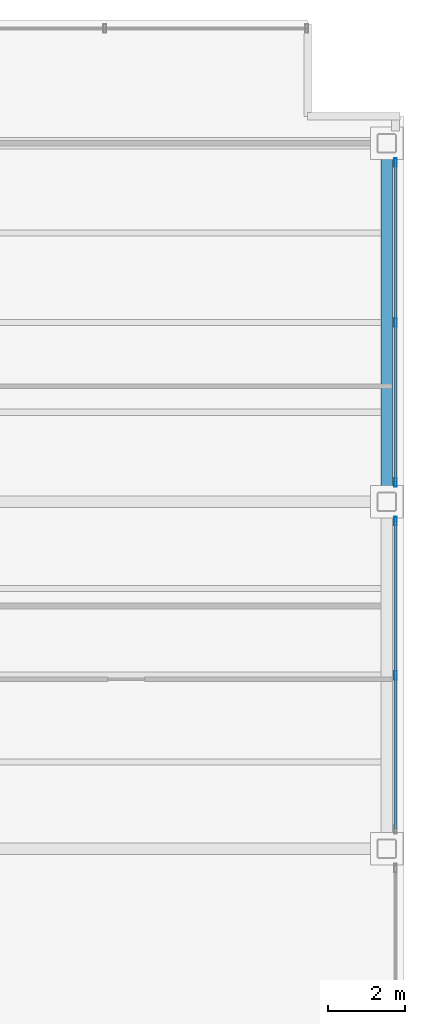
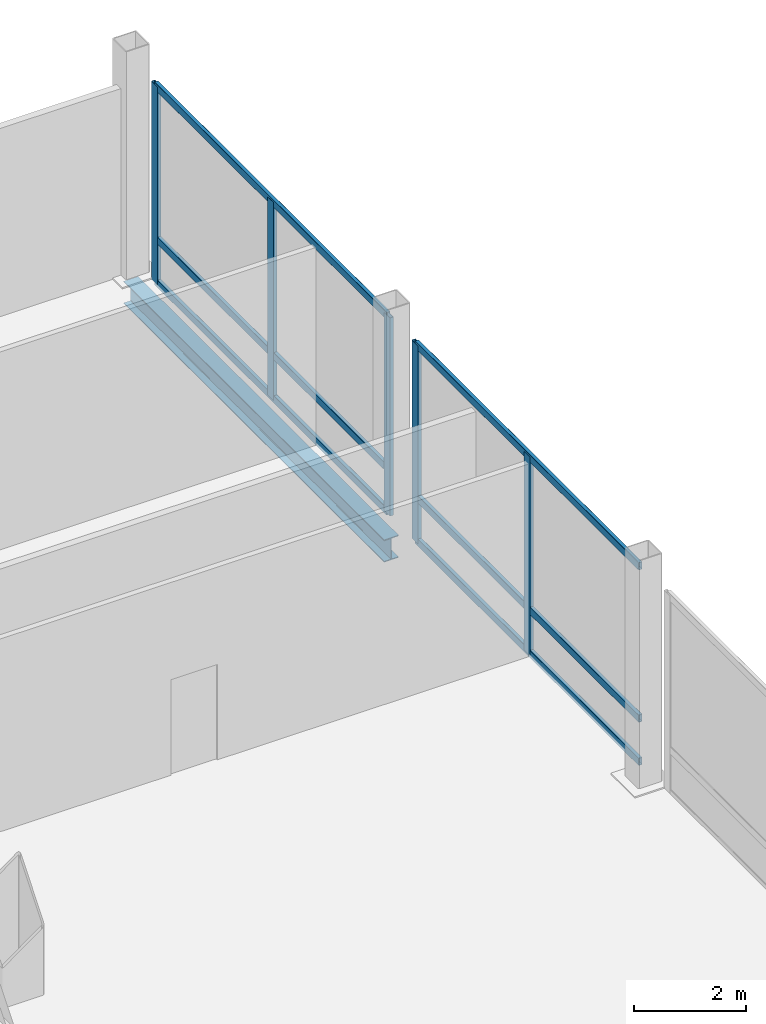
# One storey, part 13 of 22: 11 members, 1 beam, 2 elements without a shape of their own.
"""IFC4 building model written with IfcOpenShell, lengths in metres."""

from ifc_helpers import new_model, si_unit, direction, frame, origin, origin_2d, place, context, subcontext, project, spatial, hollow_rectangle, i_section, extrude, material, material_profile, profile_set, type_object, element, aggregate, save


model = new_model("IFC4")

# Units and contexts
model_context = context("Model", 3, precision=1e-05, world=origin(), true_north=direction((0.0, 1.0)))
body_context = subcontext(model_context, "Body", "Model", "MODEL_VIEW")
ifc_project = project(units=[si_unit("LENGTHUNIT", "METRE"), si_unit("AREAUNIT", "SQUARE_METRE"), si_unit("VOLUMEUNIT", "CUBIC_METRE"), si_unit("PLANEANGLEUNIT", "RADIAN"), si_unit("MASSUNIT", "GRAM", prefix="KILO")], contexts=[model_context])

# Site, building, storey
site_placement = place(None, origin())
site = spatial("IfcSite", under=ifc_project, at=site_placement, CompositionType="ELEMENT")
building_placement = place(site_placement, origin())
building = spatial("IfcBuilding", under=site, at=building_placement, Name="Noeulbin Bourse Tower", CompositionType="ELEMENT")
storey_placement = place(building_placement, frame((0.0, 0.0, 106.0)))
storey = spatial("IfcBuildingStorey", under=building, at=storey_placement, Name="L26", CompositionType="ELEMENT", Elevation=106.0)

# Beam
ifc_material_1 = material(Name="Steel S355", Category="steel")
ifc_material_profile_1 = material_profile(ifc_material_1, i_section(OverallWidth=0.300048828125, OverallDepth=0.488037109375, WebThickness=0.010986328125, FlangeThickness=0.01806640625, FilletRadius=0.02197265625, at=origin_2d()), Name="H-488x300x11x18", Category="LoadBearing")
ifc_profile_set_1 = profile_set([ifc_material_profile_1], Name="Steel S355")
beam_type = type_object("IfcBeamType", Name="BM-SPN-488", PredefinedType="SPANDREL", material=ifc_profile_set_1)
beam_placement = place(storey_placement, frame((57.050048828125, 29.0, -0.424072265625), z_axis=(0.0, 1.0, 0.0), x_axis=(-1.0, 0.0, 0.0)))
element("IfcBeam", 1, at=beam_placement, inside=storey, type_object=beam_type, Name="East Spandrel L26-2", PredefinedType="SPANDREL", context=body_context, shape_type="SweptSolid", body=[
    extrude(i_section(OverallWidth=0.300048828125, OverallDepth=0.488037109375, WebThickness=0.010986328125, FlangeThickness=0.01806640625, FilletRadius=0.02197265625, at=origin_2d()), origin(), (0.0, 0.0, 1.0), 9.300048828125),
])

# Curtain wall, members
ifc_material_2 = material(Name="Dark Tinted Triple Glazing", Category="glass")
curtain_wall_type = type_object("IfcCurtainWallType", Name="CW-SYS-3", PredefinedType="NOTDEFINED", material=ifc_material_2)
curtain_wall_1_placement = place(storey_placement, origin())
curtain_wall_1 = element("IfcCurtainWall", 2, at=curtain_wall_1_placement, inside=storey, type_object=curtain_wall_type, Name="Unitised Curtain Wall CW-L26-E-S2", PredefinedType="NOTDEFINED")
ifc_material_3 = material(Name="Anodised Aluminium 6063-T6", Category="aluminium")
ifc_material_profile_2 = material_profile(ifc_material_3, hollow_rectangle(XDim=0.074951171875, YDim=0.219970703125, WallThickness=0.0048828125, InnerFilletRadius=0.00244140625, OuterFilletRadius=0.0048828125, at=origin_2d()), Name="ALU-MULL-75x220x5", Category="LoadBearing")
ifc_profile_set_2 = profile_set([ifc_material_profile_2], Name="Anodised Aluminium 6063-T6")
member_type_1 = type_object("IfcMemberType", Name="CW-SYS-3-MUL", PredefinedType="MULLION", material=ifc_profile_set_2)
member_1_placement = place(storey_placement, frame((57.280029296875, 24.5, -0.02001953125), z_axis=(0.0, 0.0, 1.0), x_axis=(1.0, 0.0, 0.0)))
member_1 = element("IfcMember", 3, at=member_1_placement, type_object=member_type_1, Name="Curtain Wall Mullion CW-L26-E-S2-M01", PredefinedType="MULLION", context=body_context, shape_type="SweptSolid", body=[
    extrude(hollow_rectangle(XDim=0.074951171875, YDim=0.219970703125, WallThickness=0.0048828125, InnerFilletRadius=0.00244140625, OuterFilletRadius=0.0048828125, at=origin_2d()), origin(), (0.0, 0.0, 1.0), 4.320068359375),
])
member_2_placement = place(storey_placement, frame((57.280029296875, 28.5, -0.02001953125), z_axis=(0.0, 0.0, 1.0), x_axis=(1.0, 0.0, 0.0)))
member_2 = element("IfcMember", 4, at=member_2_placement, type_object=member_type_1, Name="Curtain Wall Mullion CW-L26-E-S2-M02", PredefinedType="MULLION", context=body_context, shape_type="SweptSolid", body=[
    extrude(hollow_rectangle(XDim=0.074951171875, YDim=0.219970703125, WallThickness=0.0048828125, InnerFilletRadius=0.00244140625, OuterFilletRadius=0.0048828125, at=origin_2d()), origin(), (0.0, 0.0, 1.0), 4.320068359375),
])

curtain_wall_2_placement = place(storey_placement, origin())
curtain_wall_2 = element("IfcCurtainWall", 5, at=curtain_wall_2_placement, inside=storey, type_object=curtain_wall_type, Name="Unitised Curtain Wall CW-L26-E-S3", PredefinedType="NOTDEFINED")
member_3_placement = place(storey_placement, frame((57.280029296875, 29.5, -0.02001953125), z_axis=(0.0, 0.0, 1.0), x_axis=(1.0, 0.0, 0.0)))
member_3 = element("IfcMember", 6, at=member_3_placement, type_object=member_type_1, Name="Curtain Wall Mullion CW-L26-E-S3-M00", PredefinedType="MULLION", context=body_context, shape_type="SweptSolid", body=[
    extrude(hollow_rectangle(XDim=0.074951171875, YDim=0.219970703125, WallThickness=0.0048828125, InnerFilletRadius=0.00244140625, OuterFilletRadius=0.0048828125, at=origin_2d()), origin(), (0.0, 0.0, 1.0), 4.320068359375),
])
member_4_placement = place(storey_placement, frame((57.280029296875, 33.64990234375, -0.02001953125), z_axis=(0.0, 0.0, 1.0), x_axis=(1.0, 0.0, 0.0)))
member_4 = element("IfcMember", 7, at=member_4_placement, type_object=member_type_1, Name="Curtain Wall Mullion CW-L26-E-S3-M01", PredefinedType="MULLION", context=body_context, shape_type="SweptSolid", body=[
    extrude(hollow_rectangle(XDim=0.074951171875, YDim=0.219970703125, WallThickness=0.0048828125, InnerFilletRadius=0.00244140625, OuterFilletRadius=0.0048828125, at=origin_2d()), origin(), (0.0, 0.0, 1.0), 4.320068359375),
])
member_5_placement = place(storey_placement, frame((57.280029296875, 37.800048828125, -0.02001953125), z_axis=(0.0, 0.0, 1.0), x_axis=(1.0, 0.0, 0.0)))
member_5 = element("IfcMember", 8, at=member_5_placement, type_object=member_type_1, Name="Curtain Wall Mullion CW-L26-E-S3-M02", PredefinedType="MULLION", context=body_context, shape_type="SweptSolid", body=[
    extrude(hollow_rectangle(XDim=0.074951171875, YDim=0.219970703125, WallThickness=0.0048828125, InnerFilletRadius=0.00244140625, OuterFilletRadius=0.0048828125, at=origin_2d()), origin(), (0.0, 0.0, 1.0), 4.320068359375),
])

# Member
ifc_material_profile_3 = material_profile(ifc_material_3, hollow_rectangle(XDim=0.074951171875, YDim=0.159912109375, WallThickness=0.0048828125, InnerFilletRadius=0.00244140625, OuterFilletRadius=0.0048828125, at=origin_2d()), Name="ALU-TRAN-75x160x5", Category="LoadBearing")
ifc_profile_set_3 = profile_set([ifc_material_profile_3], Name="Anodised Aluminium 6063-T6")
member_type_2 = type_object("IfcMemberType", Name="CW-SYS-3-TRN", PredefinedType="USERDEFINED", material=ifc_profile_set_3)
member_6_placement = place(storey_placement, frame((57.280029296875, 20.510009765625, 0.010009765625), z_axis=(0.0, 1.0, 0.0), x_axis=(-1.0, 0.0, 0.0)))
member_6 = element("IfcMember", 9, at=member_6_placement, type_object=member_type_2, Name="Curtain Wall Transom CW-L26-E-S2-T00", ObjectType="TRANSOM", PredefinedType="USERDEFINED", context=body_context, shape_type="SweptSolid", body=[
    extrude(hollow_rectangle(XDim=0.074951171875, YDim=0.159912109375, WallThickness=0.0048828125, InnerFilletRadius=0.00244140625, OuterFilletRadius=0.0048828125, at=origin_2d()), origin(), (0.0, 0.0, 1.0), 7.97998046875),
])

member_7_placement = place(storey_placement, frame((57.280029296875, 20.510009765625, 0.949951171875), z_axis=(0.0, 1.0, 0.0), x_axis=(-1.0, 0.0, 0.0)))
member_7 = element("IfcMember", 10, at=member_7_placement, type_object=member_type_2, Name="Curtain Wall Transom CW-L26-E-S2-T01", ObjectType="TRANSOM", PredefinedType="USERDEFINED", context=body_context, shape_type="SweptSolid", body=[
    extrude(hollow_rectangle(XDim=0.074951171875, YDim=0.159912109375, WallThickness=0.0048828125, InnerFilletRadius=0.00244140625, OuterFilletRadius=0.0048828125, at=origin_2d()), origin(), (0.0, 0.0, 1.0), 7.97998046875),
])

member_8_placement = place(storey_placement, frame((57.280029296875, 20.510009765625, 4.27001953125), z_axis=(0.0, 1.0, 0.0), x_axis=(-1.0, 0.0, 0.0)))
member_8 = element("IfcMember", 11, at=member_8_placement, type_object=member_type_2, Name="Curtain Wall Transom CW-L26-E-S2-T02", ObjectType="TRANSOM", PredefinedType="USERDEFINED", context=body_context, shape_type="SweptSolid", body=[
    extrude(hollow_rectangle(XDim=0.074951171875, YDim=0.159912109375, WallThickness=0.0048828125, InnerFilletRadius=0.00244140625, OuterFilletRadius=0.0048828125, at=origin_2d()), origin(), (0.0, 0.0, 1.0), 7.97998046875),
])

aggregate(curtain_wall_1, [member_1, member_2, member_6, member_7, member_8])

member_9_placement = place(storey_placement, frame((57.280029296875, 29.510009765625, 0.010009765625), z_axis=(0.0, 1.0, 0.0), x_axis=(-1.0, 0.0, 0.0)))
member_9 = element("IfcMember", 12, at=member_9_placement, type_object=member_type_2, Name="Curtain Wall Transom CW-L26-E-S3-T00", ObjectType="TRANSOM", PredefinedType="USERDEFINED", context=body_context, shape_type="SweptSolid", body=[
    extrude(hollow_rectangle(XDim=0.074951171875, YDim=0.159912109375, WallThickness=0.0048828125, InnerFilletRadius=0.00244140625, OuterFilletRadius=0.0048828125, at=origin_2d()), origin(), (0.0, 0.0, 1.0), 8.280029296875),
])

member_10_placement = place(storey_placement, frame((57.280029296875, 29.510009765625, 0.949951171875), z_axis=(0.0, 1.0, 0.0), x_axis=(-1.0, 0.0, 0.0)))
member_10 = element("IfcMember", 13, at=member_10_placement, type_object=member_type_2, Name="Curtain Wall Transom CW-L26-E-S3-T01", ObjectType="TRANSOM", PredefinedType="USERDEFINED", context=body_context, shape_type="SweptSolid", body=[
    extrude(hollow_rectangle(XDim=0.074951171875, YDim=0.159912109375, WallThickness=0.0048828125, InnerFilletRadius=0.00244140625, OuterFilletRadius=0.0048828125, at=origin_2d()), origin(), (0.0, 0.0, 1.0), 8.280029296875),
])

member_11_placement = place(storey_placement, frame((57.280029296875, 29.510009765625, 4.27001953125), z_axis=(0.0, 1.0, 0.0), x_axis=(-1.0, 0.0, 0.0)))
member_11 = element("IfcMember", 14, at=member_11_placement, type_object=member_type_2, Name="Curtain Wall Transom CW-L26-E-S3-T02", ObjectType="TRANSOM", PredefinedType="USERDEFINED", context=body_context, shape_type="SweptSolid", body=[
    extrude(hollow_rectangle(XDim=0.074951171875, YDim=0.159912109375, WallThickness=0.0048828125, InnerFilletRadius=0.00244140625, OuterFilletRadius=0.0048828125, at=origin_2d()), origin(), (0.0, 0.0, 1.0), 8.280029296875),
])

aggregate(curtain_wall_2, [member_3, member_4, member_5, member_9, member_10, member_11])

save(model, "model.ifc")
